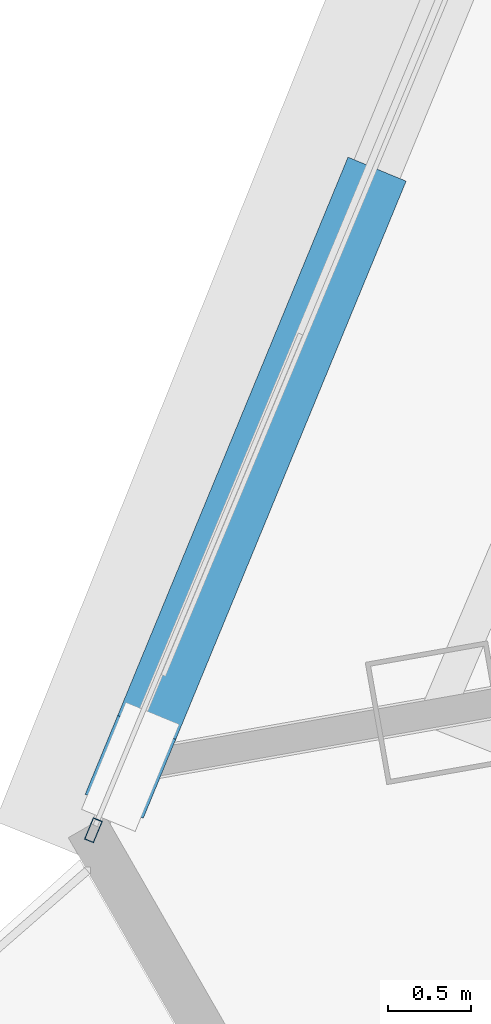
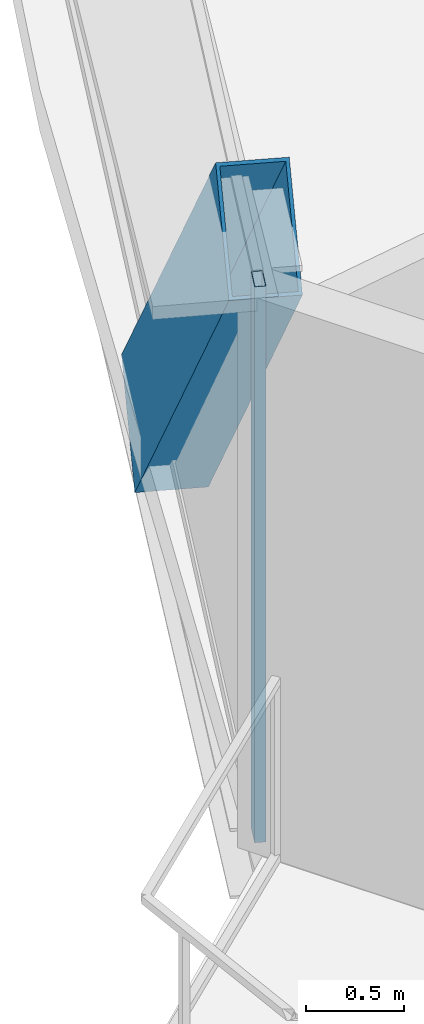
# One storey, part 4 of 35: 2 members, 1 element without a shape of its own.
"""IFC4 building model written with IfcOpenShell, lengths in metres."""

from ifc_helpers import new_model, si_unit, direction, frame, origin, origin_2d, place, context, subcontext, project, spatial, hollow_rectangle, extrude, source, transform, mapped, material, layer, layer_set, material_profile, profile_set, type_object, element, aggregate, save


model = new_model("IFC4")

# Units and contexts
model_context = context("Model", 3, precision=1e-05, world=origin(), true_north=direction((0.0, 1.0)))
body_context = subcontext(model_context, "Body", "Model", "MODEL_VIEW")
ifc_project = project(units=[si_unit("LENGTHUNIT", "METRE"), si_unit("AREAUNIT", "SQUARE_METRE"), si_unit("VOLUMEUNIT", "CUBIC_METRE"), si_unit("PLANEANGLEUNIT", "RADIAN"), si_unit("MASSUNIT", "GRAM", prefix="KILO"), si_unit("THERMODYNAMICTEMPERATUREUNIT", "KELVIN"), si_unit("POWERUNIT", "WATT")], contexts=[model_context])

# Site, building, storey
site_placement = place(None, origin())
site = spatial("IfcSite", under=ifc_project, at=site_placement, CompositionType="ELEMENT")
building_placement = place(site_placement, origin())
building = spatial("IfcBuilding", under=site, at=building_placement, Name="Yunzhuo Pagoda Commons", CompositionType="ELEMENT")
storey_placement = place(building_placement, frame((0.0, 0.0, 299.93994140625)))
storey = spatial("IfcBuildingStorey", under=building, at=storey_placement, Name="L75", CompositionType="ELEMENT", Elevation=299.93994140625)

# Member
ifc_material_1 = material(Name="Structural steel Q355B", Category="steel")
ifc_material_profile_1 = material_profile(ifc_material_1, hollow_rectangle(XDim=0.3798828125, YDim=0.719970703125, WallThickness=0.02001953125, at=origin_2d()), Name="Structural steel Q355B")
ifc_profile_set_1 = profile_set([ifc_material_profile_1], Name="Structural steel Q355B")
member_type_1 = type_object("IfcMemberType", Name="M-DL3 Brace BOX 720x380x20", PredefinedType="BRACE", material=ifc_profile_set_1)
shared_shape_1 = source(origin(), body_context, "Body", "SweptSolid", [
    extrude(hollow_rectangle(XDim=0.3798828125, YDim=0.719970703125, WallThickness=0.02001953125, at=origin_2d()), origin(), (0.0, 0.0, 1.0), 5.217041015625),
])
member_1_placement = place(storey_placement, frame((18.877197265625, 31.69140625, -0.260009765625), z_axis=(-0.266649685791, -0.64631428755, 0.71496558433), x_axis=(0.924415889146, -0.38138597758, 0.0)))
element("IfcMember", 1, at=member_1_placement, inside=storey, type_object=member_type_1, Name="L75 facade diamond brace F3.3R", PredefinedType="BRACE", context=body_context, shape_type="MappedRepresentation", body=[
    mapped(shared_shape_1, transform((0.0, 0.0, 0.0), scale=1.0)),
])

# Curtain wall, member
ifc_material_2 = material(Name="Anodized aluminium 6063-T6", Category="aluminium")
ifc_layer = layer(ifc_material_2, 0.139892578125)
ifc_layer_set = layer_set([ifc_layer], Name="Anodized aluminium 6063-T6")
curtain_wall_type = type_object("IfcCurtainWallType", Name="CW-HI High-Zone Ribbon Curtain Wall", PredefinedType="NOTDEFINED", material=ifc_layer_set)
curtain_wall_placement = place(storey_placement, origin())
curtain_wall = element("IfcCurtainWall", 2, at=curtain_wall_placement, inside=storey, type_object=curtain_wall_type, Name="L75 curtain wall CW-L75-F3B4", PredefinedType="NOTDEFINED")
ifc_material_profile_2 = material_profile(ifc_material_2, hollow_rectangle(XDim=0.06005859375, YDim=0.139892578125, WallThickness=0.00341796875, at=origin_2d()), Name="Anodized aluminium 6063-T6")
ifc_profile_set_2 = profile_set([ifc_material_profile_2], Name="Anodized aluminium 6063-T6")
member_type_2 = type_object("IfcMemberType", Name="CW-HI-M Mullion RHS 140x60x3.5", PredefinedType="MULLION", material=ifc_profile_set_2)
shared_shape_2 = source(origin(), body_context, "Body", "SweptSolid", [
    extrude(hollow_rectangle(XDim=0.06005859375, YDim=0.139892578125, WallThickness=0.00341796875, at=origin_2d()), origin(), (0.0, 0.0, 1.0), 3.469970703125),
])
member_2_placement = place(storey_placement, frame((17.26220703125, 27.9365234375, 0.0), z_axis=(0.0, 0.0, 1.0), x_axis=(0.922876210298, -0.385096741697, 0.0)))
member_2 = element("IfcMember", 3, at=member_2_placement, type_object=member_type_2, Name="CW mullion 2", PredefinedType="MULLION", context=body_context, shape_type="MappedRepresentation", body=[
    mapped(shared_shape_2, transform((0.0, 0.0, 0.0), scale=1.0)),
])
aggregate(curtain_wall, [member_2])

save(model, "model.ifc")
